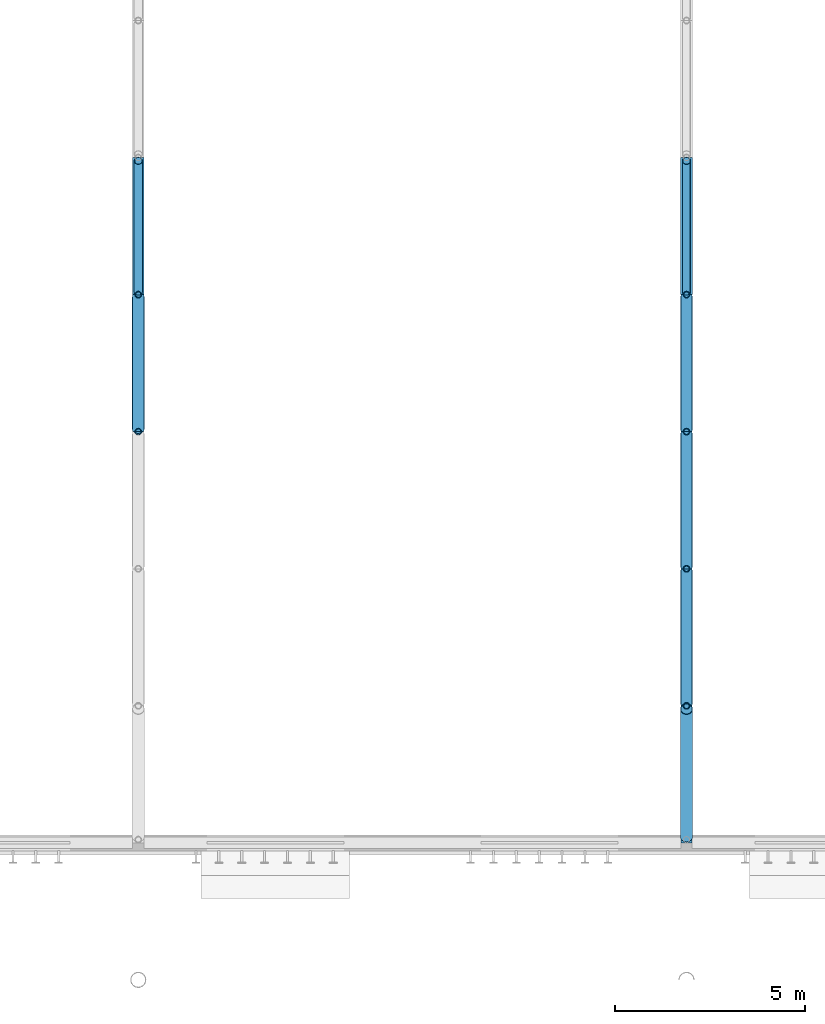
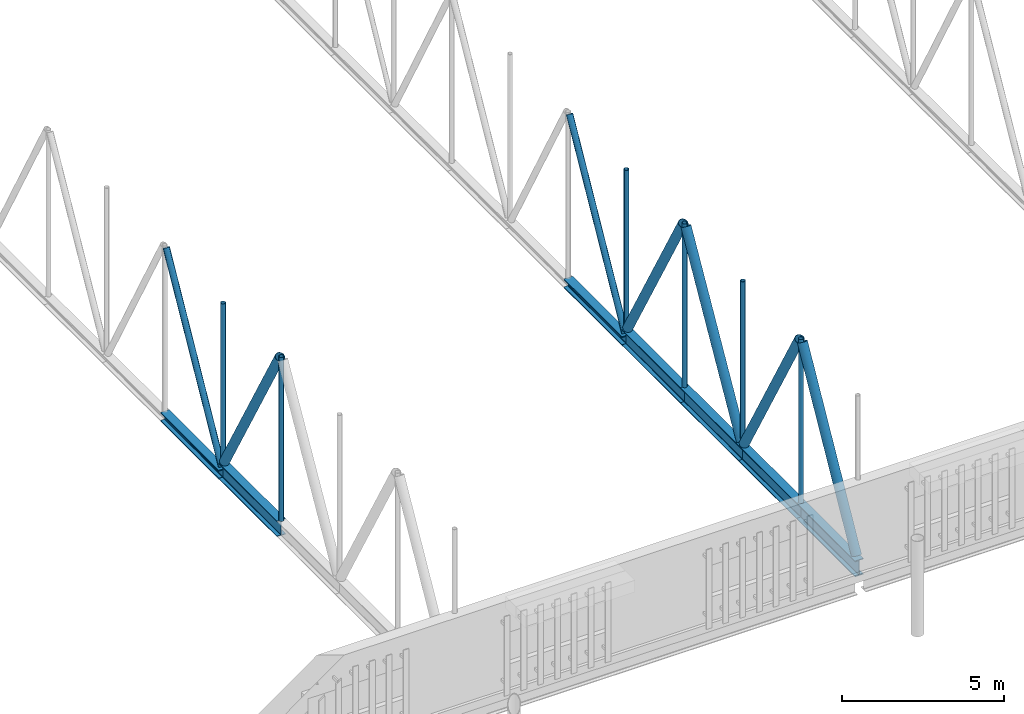
# One storey, part 55 of 142: 20 members.
"""IFC4 building model written with IfcOpenShell, lengths in metres."""

from ifc_helpers import new_model, si_unit, direction, frame, origin, origin_2d, place, context, subcontext, project, spatial, hollow_circle, i_section, extrude, material, material_profile, profile_set, type_object, element, save


model = new_model("IFC4")

# Units and contexts
model_context = context("Model", 3, precision=1e-05, world=origin(), true_north=direction((0.0, 1.0)))
body_context = subcontext(model_context, "Body", "Model", "MODEL_VIEW")
ifc_project = project(units=[si_unit("LENGTHUNIT", "METRE"), si_unit("AREAUNIT", "SQUARE_METRE"), si_unit("VOLUMEUNIT", "CUBIC_METRE"), si_unit("PLANEANGLEUNIT", "RADIAN"), si_unit("MASSUNIT", "GRAM", prefix="KILO")], contexts=[model_context])

# Site, building, storey
site_placement = place(None, origin())
site = spatial("IfcSite", under=ifc_project, at=site_placement, CompositionType="ELEMENT")
building_placement = place(site_placement, origin())
building = spatial("IfcBuilding", under=site, at=building_placement, Name="Kupolbacken Congress Centre", CompositionType="ELEMENT")
storey_placement = place(building_placement, frame((0.0, 0.0, 14.39990234375)))
storey = spatial("IfcBuildingStorey", under=building, at=storey_placement, Name="L04", CompositionType="ELEMENT", Elevation=14.39990234375)

# Members
ifc_material_1 = material(Name="Steel S355", Category="steel")
ifc_material_profile_1 = material_profile(ifc_material_1, i_section(OverallWidth=0.31005859375, OverallDepth=0.340087890625, WebThickness=0.02099609375, FlangeThickness=0.0390625, FilletRadius=0.027099609375, at=origin_2d()), Name="HEM 300")
ifc_profile_set_1 = profile_set([ifc_material_profile_1], Name="Steel S355")
member_type_1 = type_object("IfcMemberType", Name="M01 transfer truss chord HEM 300", PredefinedType="CHORD", material=ifc_profile_set_1)
for number, where, z_axis, x_axis, name in (
    (1, (151.199951171875, 57.60009765625, 0.16015625), (0.0, 1.0, 0.0), (-1.0, 0.0, 0.0), "HT/T5/BC05"),
    (2, (165.60009765625, 57.60009765625, 0.16015625), (0.0, 1.0, 0.0), (-1.0, 0.0, 0.0), "HT/T6/BC05"),
):
    element("IfcMember", number, at=place(storey_placement, frame(where, z_axis=z_axis, x_axis=x_axis)), inside=storey, type_object=member_type_1, Name=name, PredefinedType="CHORD", context=body_context, shape_type="SweptSolid", body=[
        extrude(i_section(OverallWidth=0.31005859375, OverallDepth=0.340087890625, WebThickness=0.02099609375, FlangeThickness=0.0390625, FilletRadius=0.027099609375, at=origin_2d()), origin(), (0.0, 0.0, 1.0), 3.599853515625),
    ])
ifc_material_2 = material(Name="Steel S355", Category="steel")
ifc_material_profile_2 = material_profile(ifc_material_2, i_section(OverallWidth=0.300048828125, OverallDepth=0.60009765625, WebThickness=0.015380859375, FlangeThickness=0.030029296875, FilletRadius=0.027099609375, at=origin_2d()), Name="HEB 600")
ifc_profile_set_2 = profile_set([ifc_material_profile_2], Name="Steel S355")
member_type_2 = type_object("IfcMemberType", Name="M02 transfer truss chord HEB 600", PredefinedType="CHORD", material=ifc_profile_set_2)
for number, where, z_axis, x_axis, name in (
    (3, (151.199951171875, 54.0, 0.2900390625), (0.0, 1.0, 0.0), (-1.0, 0.0, 0.0), "HT/T5/BC04"),
    (4, (165.60009765625, 43.199951171875, 0.2900390625), (0.0, 1.0, 0.0), (-1.0, 0.0, 0.0), "HT/T6/BC01"),
):
    element("IfcMember", number, at=place(storey_placement, frame(where, z_axis=z_axis, x_axis=x_axis)), inside=storey, type_object=member_type_2, Name=name, PredefinedType="CHORD", context=body_context, shape_type="SweptSolid", body=[
        extrude(i_section(OverallWidth=0.300048828125, OverallDepth=0.60009765625, WebThickness=0.015380859375, FlangeThickness=0.030029296875, FilletRadius=0.027099609375, at=origin_2d()), origin(), (0.0, 0.0, 1.0), 3.60009765625),
    ])
member_1_placement = place(storey_placement, frame((165.60009765625, 46.800048828125, 0.2900390625), z_axis=(0.0, 1.0, 0.0), x_axis=(-1.0, 0.0, 0.0)))
element("IfcMember", 5, at=member_1_placement, inside=storey, type_object=member_type_2, Name="HT/T6/BC02", PredefinedType="CHORD", context=body_context, shape_type="SweptSolid", body=[
    extrude(i_section(OverallWidth=0.300048828125, OverallDepth=0.60009765625, WebThickness=0.015380859375, FlangeThickness=0.030029296875, FilletRadius=0.027099609375, at=origin_2d()), origin(), (0.0, 0.0, 1.0), 3.599853515625),
])
for number, where, z_axis, x_axis, name in (
    (6, (165.60009765625, 50.39990234375, 0.2900390625), (0.0, 1.0, 0.0), (-1.0, 0.0, 0.0), "HT/T6/BC03"),
    (7, (165.60009765625, 54.0, 0.2900390625), (0.0, 1.0, 0.0), (-1.0, 0.0, 0.0), "HT/T6/BC04"),
):
    element("IfcMember", number, at=place(storey_placement, frame(where, z_axis=z_axis, x_axis=x_axis)), inside=storey, type_object=member_type_2, Name=name, PredefinedType="CHORD", context=body_context, shape_type="SweptSolid", body=[
        extrude(i_section(OverallWidth=0.300048828125, OverallDepth=0.60009765625, WebThickness=0.015380859375, FlangeThickness=0.030029296875, FilletRadius=0.027099609375, at=origin_2d()), origin(), (0.0, 0.0, 1.0), 3.60009765625),
    ])
ifc_material_3 = material(Name="Steel S355", Category="steel")
ifc_material_profile_3 = material_profile(ifc_material_3, hollow_circle(Radius=0.161865234375, WallThickness=0.012451171875, at=origin_2d()), Name="CHS 323.9 x 12.5")
ifc_profile_set_3 = profile_set([ifc_material_profile_3], Name="Steel S355")
member_type_3 = type_object("IfcMemberType", Name="M04 transfer truss web CHS 323.9 x 12.5", PredefinedType="BRACE", material=ifc_profile_set_3)
member_2_placement = place(storey_placement, frame((151.199951171875, 54.084228515625, 6.69140625), z_axis=(0.0, 0.494455978115, -0.869202672399), x_axis=(-1.0, 0.0, 0.0)))
element("IfcMember", 8, at=member_2_placement, inside=storey, type_object=member_type_3, Name="HT/T5/D04", PredefinedType="BRACE", context=body_context, shape_type="SweptSolid", body=[
    extrude(hollow_circle(Radius=0.161865234375, WallThickness=0.012451171875, at=origin_2d()), origin(), (0.0, 0.0, 1.0), 6.940185546875),
])
member_3_placement = place(storey_placement, frame((165.60009765625, 43.368408203125, 0.6572265625), z_axis=(0.0, 0.485009080024, 0.874509115043), x_axis=(-1.0, 0.0, 0.0)))
element("IfcMember", 9, at=member_3_placement, inside=storey, type_object=member_type_3, Name="HT/T6/D01", PredefinedType="BRACE", context=body_context, shape_type="SweptSolid", body=[
    extrude(hollow_circle(Radius=0.161865234375, WallThickness=0.012451171875, at=origin_2d()), origin(), (0.0, 0.0, 1.0), 6.90185546875),
])
member_4_placement = place(storey_placement, frame((165.60009765625, 46.884033203125, 6.69140625), z_axis=(0.0, 0.494482554546, -0.869187553552), x_axis=(-1.0, 0.0, 0.0)))
element("IfcMember", 10, at=member_4_placement, inside=storey, type_object=member_type_3, Name="HT/T6/D02", PredefinedType="BRACE", context=body_context, shape_type="SweptSolid", body=[
    extrude(hollow_circle(Radius=0.161865234375, WallThickness=0.012451171875, at=origin_2d()), origin(), (0.0, 0.0, 1.0), 6.9404296875),
])
for number, where, z_axis, x_axis, name in (
    (11, (165.60009765625, 50.484130859375, 0.658935546875), (0.0, 0.494455978115, 0.869202672399), (-1.0, 0.0, 0.0), "HT/T6/D03"),
    (12, (165.60009765625, 54.084228515625, 6.69140625), (0.0, 0.494455978115, -0.869202672399), (-1.0, 0.0, 0.0), "HT/T6/D04"),
):
    element("IfcMember", number, at=place(storey_placement, frame(where, z_axis=z_axis, x_axis=x_axis)), inside=storey, type_object=member_type_3, Name=name, PredefinedType="BRACE", context=body_context, shape_type="SweptSolid", body=[
        extrude(hollow_circle(Radius=0.161865234375, WallThickness=0.012451171875, at=origin_2d()), origin(), (0.0, 0.0, 1.0), 6.940185546875),
    ])
ifc_material_4 = material(Name="Steel S355", Category="steel")
ifc_material_profile_4 = material_profile(ifc_material_4, hollow_circle(Radius=0.109619140625, WallThickness=0.010009765625, at=origin_2d()), Name="CHS 219.1 x 10")
ifc_profile_set_4 = profile_set([ifc_material_profile_4], Name="Steel S355")
member_type_4 = type_object("IfcMemberType", Name="M05 transfer truss web CHS 219.1 x 10", PredefinedType="BRACE", material=ifc_profile_set_4)
for number, where, z_axis, x_axis, name in (
    (13, (151.199951171875, 57.68408203125, 0.372802734375), (0.0, 0.485197410842, 0.87440463889), (-1.0, 0.0, 0.0), "HT/T5/D05"),
    (14, (165.60009765625, 57.68408203125, 0.372802734375), (0.0, 0.485197410842, 0.87440463889), (-1.0, 0.0, 0.0), "HT/T6/D05"),
):
    element("IfcMember", number, at=place(storey_placement, frame(where, z_axis=z_axis, x_axis=x_axis)), inside=storey, type_object=member_type_4, Name=name, PredefinedType="BRACE", context=body_context, shape_type="SweptSolid", body=[
        extrude(hollow_circle(Radius=0.109619140625, WallThickness=0.010009765625, at=origin_2d()), origin(), (0.0, 0.0, 1.0), 7.0732421875),
    ])
ifc_material_5 = material(Name="Steel S355", Category="steel")
ifc_material_profile_5 = material_profile(ifc_material_5, hollow_circle(Radius=0.084228515625, WallThickness=0.008056640625, at=origin_2d()), Name="CHS 168.3 x 8")
ifc_profile_set_5 = profile_set([ifc_material_profile_5], Name="Steel S355")
member_type_5 = type_object("IfcMemberType", Name="M20 transfer truss post CHS 168.3 x 8", PredefinedType="STRUT", material=ifc_profile_set_5)
member_5_placement = place(storey_placement, frame((151.199951171875, 54.0, 0.580078125), z_axis=(0.0, 0.0, 1.0), x_axis=(0.0, 1.0, 0.0)))
element("IfcMember", 15, at=member_5_placement, inside=storey, type_object=member_type_5, Name="HT/T5/P03", PredefinedType="STRUT", context=body_context, shape_type="SweptSolid", body=[
    extrude(hollow_circle(Radius=0.084228515625, WallThickness=0.008056640625, at=origin_2d()), origin(), (0.0, 0.0, 1.0), 6.18994140625),
])
member_6_placement = place(storey_placement, frame((151.199951171875, 57.60009765625, 0.580078125), z_axis=(0.0, 0.0, 1.0), x_axis=(0.0, 1.0, 0.0)))
element("IfcMember", 16, at=member_6_placement, inside=storey, type_object=member_type_5, Name="HT/T5/P04", PredefinedType="STRUT", context=body_context, shape_type="SweptSolid", body=[
    extrude(hollow_circle(Radius=0.084228515625, WallThickness=0.008056640625, at=origin_2d()), origin(), (0.0, 0.0, 1.0), 6.030029296875),
])
for number, where, z_axis, x_axis, name in (
    (17, (165.60009765625, 46.800048828125, 0.580078125), (0.0, 0.0, 1.0), (0.0, 1.0, 0.0), "HT/T6/P01"),
    (18, (165.60009765625, 50.39990234375, 0.580078125), (0.0, 0.0, 1.0), (0.0, 1.0, 0.0), "HT/T6/P02"),
    (19, (165.60009765625, 54.0, 0.580078125), (0.0, 0.0, 1.0), (0.0, 1.0, 0.0), "HT/T6/P03"),
):
    element("IfcMember", number, at=place(storey_placement, frame(where, z_axis=z_axis, x_axis=x_axis)), inside=storey, type_object=member_type_5, Name=name, PredefinedType="STRUT", context=body_context, shape_type="SweptSolid", body=[
        extrude(hollow_circle(Radius=0.084228515625, WallThickness=0.008056640625, at=origin_2d()), origin(), (0.0, 0.0, 1.0), 6.18994140625),
    ])
member_7_placement = place(storey_placement, frame((165.60009765625, 57.60009765625, 0.580078125), z_axis=(0.0, 0.0, 1.0), x_axis=(0.0, 1.0, 0.0)))
element("IfcMember", 20, at=member_7_placement, inside=storey, type_object=member_type_5, Name="HT/T6/P04", PredefinedType="STRUT", context=body_context, shape_type="SweptSolid", body=[
    extrude(hollow_circle(Radius=0.084228515625, WallThickness=0.008056640625, at=origin_2d()), origin(), (0.0, 0.0, 1.0), 6.030029296875),
])

save(model, "model.ifc")
